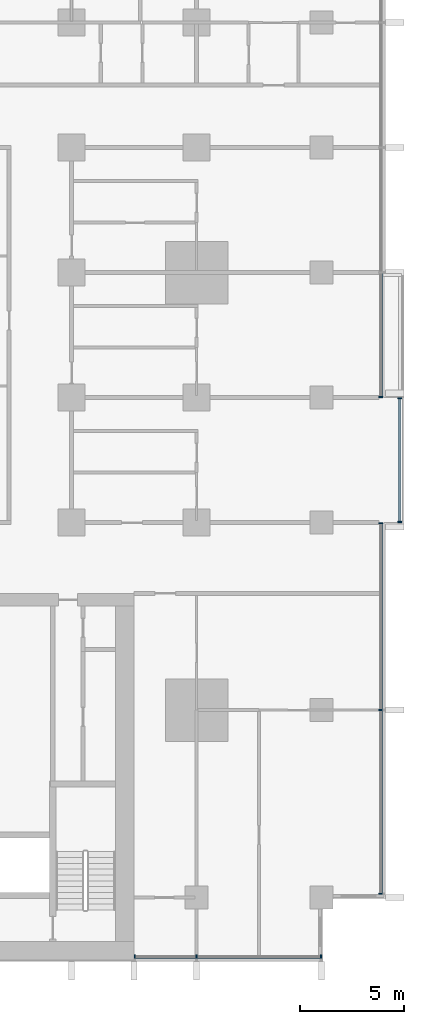
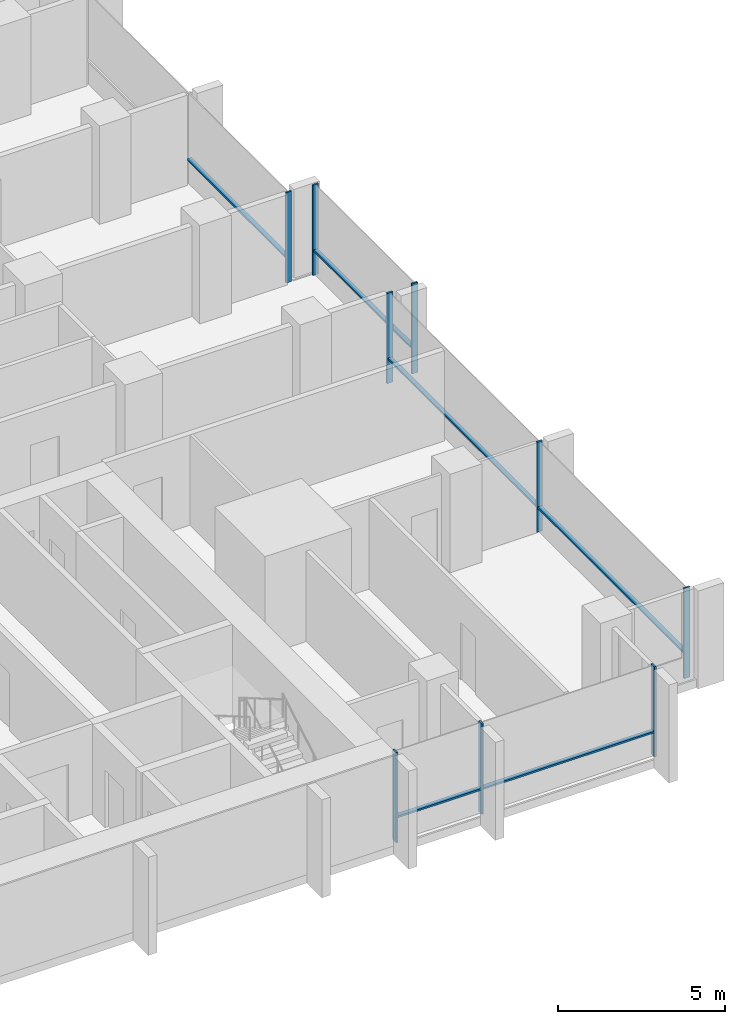
# One storey, part 3 of 18: 15 members, 4 elements without a shape of their own.
"""IFC4 building model written with IfcOpenShell, lengths in metres."""

from ifc_helpers import new_model, si_unit, direction, frame, origin, origin_2d, place, context, subcontext, project, spatial, rectangle, extrude, material, material_profile, profile_set, type_object, element, aggregate, save


model = new_model("IFC4")

# Units and contexts
model_context = context("Model", 3, precision=1e-05, world=origin(), true_north=direction((0.0, 1.0)))
body_context = subcontext(model_context, "Body", "Model", "MODEL_VIEW")
ifc_project = project(units=[si_unit("LENGTHUNIT", "METRE"), si_unit("AREAUNIT", "SQUARE_METRE"), si_unit("VOLUMEUNIT", "CUBIC_METRE"), si_unit("PLANEANGLEUNIT", "RADIAN"), si_unit("MASSUNIT", "GRAM", prefix="KILO")], contexts=[model_context])

# Site, building, storey
site_placement = place(None, origin())
site = spatial("IfcSite", under=ifc_project, at=site_placement, CompositionType="ELEMENT")
building_placement = place(site_placement, origin())
building = spatial("IfcBuilding", under=site, at=building_placement, Name="Finial Court Residences", CompositionType="ELEMENT")
storey_placement = place(building_placement, frame((0.0, 0.0, 43.300048828125)))
storey = spatial("IfcBuildingStorey", under=building, at=storey_placement, Name="L09", CompositionType="ELEMENT", Elevation=43.300048828125)

# Curtain wall, members
ifc_material = material(Name="Bronze anodised aluminium", Category="aluminium")
curtain_wall_type = type_object("IfcCurtainWallType", Name="Unitised curtain wall, lower and middle zones", PredefinedType="NOTDEFINED", material=ifc_material)
curtain_wall_1_placement = place(storey_placement, origin())
curtain_wall_1 = element("IfcCurtainWall", 1, at=curtain_wall_1_placement, inside=storey, type_object=curtain_wall_type, Name="E-L09-CW-E4", PredefinedType="NOTDEFINED")
ifc_material_profile_1 = material_profile(ifc_material, rectangle(XDim=0.199951171875, YDim=0.06494140625, at=origin_2d()), Name="CW1 mullion 65 x 200")
ifc_profile_set_1 = profile_set([ifc_material_profile_1], Name="Bronze anodised aluminium")
member_type_1 = type_object("IfcMemberType", Name="CW1 mullion 65 x 200", PredefinedType="MULLION", material=ifc_profile_set_1)
member_1_placement = place(storey_placement, frame((25.35009765625, -22.3173828125, 0.0), z_axis=(0.0, 0.0, 1.0), x_axis=(-1.0, 0.0, 0.0)))
member_1 = element("IfcMember", 2, at=member_1_placement, type_object=member_type_1, Name="CW1 mullion 1", PredefinedType="MULLION", context=body_context, shape_type="SweptSolid", body=[
    extrude(rectangle(XDim=0.199951171875, YDim=0.06494140625, at=origin_2d()), origin(), (0.0, 0.0, 1.0), 3.300048828125),
])
member_2_placement = place(storey_placement, frame((25.35009765625, -13.5, 0.0), z_axis=(0.0, 0.0, 1.0), x_axis=(-1.0, 0.0, 0.0)))
member_2 = element("IfcMember", 3, at=member_2_placement, type_object=member_type_1, Name="CW1 mullion 2", PredefinedType="MULLION", context=body_context, shape_type="SweptSolid", body=[
    extrude(rectangle(XDim=0.199951171875, YDim=0.06494140625, at=origin_2d()), origin(), (0.0, 0.0, 1.0), 3.300048828125),
])
member_3_placement = place(storey_placement, frame((25.35009765625, -4.532470703125, 0.0), z_axis=(0.0, 0.0, 1.0), x_axis=(-1.0, 0.0, 0.0)))
member_3 = element("IfcMember", 4, at=member_3_placement, type_object=member_type_1, Name="CW1 mullion 3", PredefinedType="MULLION", context=body_context, shape_type="SweptSolid", body=[
    extrude(rectangle(XDim=0.199951171875, YDim=0.06494140625, at=origin_2d()), origin(), (0.0, 0.0, 1.0), 3.300048828125),
])

curtain_wall_2_placement = place(storey_placement, origin())
curtain_wall_2 = element("IfcCurtainWall", 5, at=curtain_wall_2_placement, inside=storey, type_object=curtain_wall_type, Name="E-L09-CW-E5", PredefinedType="NOTDEFINED")
member_4_placement = place(storey_placement, frame((26.25, -4.467529296875, 0.0), z_axis=(0.0, 0.0, 1.0), x_axis=(-1.0, 0.0, 0.0)))
member_4 = element("IfcMember", 6, at=member_4_placement, type_object=member_type_1, Name="CW1 mullion 1", PredefinedType="MULLION", context=body_context, shape_type="SweptSolid", body=[
    extrude(rectangle(XDim=0.199951171875, YDim=0.06494140625, at=origin_2d()), origin(), (0.0, 0.0, 1.0), 3.300048828125),
])
member_5_placement = place(storey_placement, frame((26.25, 1.467529296875, 0.0), z_axis=(0.0, 0.0, 1.0), x_axis=(-1.0, 0.0, 0.0)))
member_5 = element("IfcMember", 7, at=member_5_placement, type_object=member_type_1, Name="CW1 mullion 2", PredefinedType="MULLION", context=body_context, shape_type="SweptSolid", body=[
    extrude(rectangle(XDim=0.199951171875, YDim=0.06494140625, at=origin_2d()), origin(), (0.0, 0.0, 1.0), 3.300048828125),
])

# Curtain wall, member
curtain_wall_3_placement = place(storey_placement, origin())
curtain_wall_3 = element("IfcCurtainWall", 8, at=curtain_wall_3_placement, inside=storey, type_object=curtain_wall_type, Name="E-L09-CW-E6", PredefinedType="NOTDEFINED")
member_6_placement = place(storey_placement, frame((25.35009765625, 1.532470703125, 0.0), z_axis=(0.0, 0.0, 1.0), x_axis=(-1.0, 0.0, 0.0)))
member_6 = element("IfcMember", 9, at=member_6_placement, type_object=member_type_1, Name="CW1 mullion 1", PredefinedType="MULLION", context=body_context, shape_type="SweptSolid", body=[
    extrude(rectangle(XDim=0.199951171875, YDim=0.06494140625, at=origin_2d()), origin(), (0.0, 0.0, 1.0), 3.300048828125),
])

# Curtain wall, members
curtain_wall_4_placement = place(storey_placement, origin())
curtain_wall_4 = element("IfcCurtainWall", 10, at=curtain_wall_4_placement, inside=storey, type_object=curtain_wall_type, Name="E-L09-CW-S8", PredefinedType="NOTDEFINED")
member_7_placement = place(storey_placement, frame((13.532470703125, -25.35009765625, 0.0), z_axis=(0.0, 0.0, 1.0), x_axis=(0.0, 1.0, 0.0)))
member_7 = element("IfcMember", 11, at=member_7_placement, type_object=member_type_1, Name="CW1 mullion 1", PredefinedType="MULLION", context=body_context, shape_type="SweptSolid", body=[
    extrude(rectangle(XDim=0.199951171875, YDim=0.06494140625, at=origin_2d()), origin(), (0.0, 0.0, 1.0), 3.300048828125),
])
member_8_placement = place(storey_placement, frame((16.5, -25.35009765625, 0.0), z_axis=(0.0, 0.0, 1.0), x_axis=(0.0, 1.0, 0.0)))
member_8 = element("IfcMember", 12, at=member_8_placement, type_object=member_type_1, Name="CW1 mullion 2", PredefinedType="MULLION", context=body_context, shape_type="SweptSolid", body=[
    extrude(rectangle(XDim=0.199951171875, YDim=0.06494140625, at=origin_2d()), origin(), (0.0, 0.0, 1.0), 3.300048828125),
])
member_9_placement = place(storey_placement, frame((22.467529296875, -25.35009765625, 0.0), z_axis=(0.0, 0.0, 1.0), x_axis=(0.0, 1.0, 0.0)))
member_9 = element("IfcMember", 13, at=member_9_placement, type_object=member_type_1, Name="CW1 mullion 3", PredefinedType="MULLION", context=body_context, shape_type="SweptSolid", body=[
    extrude(rectangle(XDim=0.199951171875, YDim=0.06494140625, at=origin_2d()), origin(), (0.0, 0.0, 1.0), 3.300048828125),
])

# Member
ifc_material_profile_2 = material_profile(ifc_material, rectangle(XDim=0.14990234375, YDim=0.06494140625, at=origin_2d()), Name="CW1 transom 65 x 150")
ifc_profile_set_2 = profile_set([ifc_material_profile_2], Name="Bronze anodised aluminium")
member_type_2 = type_object("IfcMemberType", Name="CW1 transom 65 x 150", PredefinedType="USERDEFINED", material=ifc_profile_set_2)
member_10_placement = place(storey_placement, frame((25.35009765625, -22.284912109375, 0.89990234375), z_axis=(0.0, 1.0, 0.0), x_axis=(-1.0, 0.0, 0.0)))
member_10 = element("IfcMember", 14, at=member_10_placement, type_object=member_type_2, Name="CW1 transom 1.1", ObjectType="TRANSOM", PredefinedType="USERDEFINED", context=body_context, shape_type="SweptSolid", body=[
    extrude(rectangle(XDim=0.14990234375, YDim=0.06494140625, at=origin_2d()), origin(), (0.0, 0.0, 1.0), 8.75244140625),
])

member_11_placement = place(storey_placement, frame((25.35009765625, -13.467529296875, 0.89990234375), z_axis=(0.0, 1.0, 0.0), x_axis=(-1.0, 0.0, 0.0)))
member_11 = element("IfcMember", 15, at=member_11_placement, type_object=member_type_2, Name="CW1 transom 2.1", ObjectType="TRANSOM", PredefinedType="USERDEFINED", context=body_context, shape_type="SweptSolid", body=[
    extrude(rectangle(XDim=0.14990234375, YDim=0.06494140625, at=origin_2d()), origin(), (0.0, 0.0, 1.0), 8.902587890625),
])

aggregate(curtain_wall_1, [member_1, member_2, member_3, member_10, member_11])

member_12_placement = place(storey_placement, frame((26.25, -4.43505859375, 0.89990234375), z_axis=(0.0, 1.0, 0.0), x_axis=(-1.0, 0.0, 0.0)))
member_12 = element("IfcMember", 16, at=member_12_placement, type_object=member_type_2, Name="CW1 transom 1.1", ObjectType="TRANSOM", PredefinedType="USERDEFINED", context=body_context, shape_type="SweptSolid", body=[
    extrude(rectangle(XDim=0.14990234375, YDim=0.06494140625, at=origin_2d()), origin(), (0.0, 0.0, 1.0), 5.8701171875),
])

aggregate(curtain_wall_2, [member_4, member_5, member_12])

member_13_placement = place(storey_placement, frame((25.35009765625, 1.56494140625, 0.89990234375), z_axis=(0.0, 1.0, 0.0), x_axis=(-1.0, 0.0, 0.0)))
member_13 = element("IfcMember", 17, at=member_13_placement, type_object=member_type_2, Name="CW1 transom 1.1", ObjectType="TRANSOM", PredefinedType="USERDEFINED", context=body_context, shape_type="SweptSolid", body=[
    extrude(rectangle(XDim=0.14990234375, YDim=0.06494140625, at=origin_2d()), origin(), (0.0, 0.0, 1.0), 5.902587890625),
])

aggregate(curtain_wall_3, [member_6, member_13])

member_14_placement = place(storey_placement, frame((13.56494140625, -25.35009765625, 0.89990234375), z_axis=(1.0, 0.0, 0.0), x_axis=(0.0, 1.0, 0.0)))
member_14 = element("IfcMember", 18, at=member_14_placement, type_object=member_type_2, Name="CW1 transom 1.1", ObjectType="TRANSOM", PredefinedType="USERDEFINED", context=body_context, shape_type="SweptSolid", body=[
    extrude(rectangle(XDim=0.14990234375, YDim=0.06494140625, at=origin_2d()), origin(), (0.0, 0.0, 1.0), 2.902587890625),
])

member_15_placement = place(storey_placement, frame((16.532470703125, -25.35009765625, 0.89990234375), z_axis=(1.0, 0.0, 0.0), x_axis=(0.0, 1.0, 0.0)))
member_15 = element("IfcMember", 19, at=member_15_placement, type_object=member_type_2, Name="CW1 transom 2.1", ObjectType="TRANSOM", PredefinedType="USERDEFINED", context=body_context, shape_type="SweptSolid", body=[
    extrude(rectangle(XDim=0.14990234375, YDim=0.06494140625, at=origin_2d()), origin(), (0.0, 0.0, 1.0), 5.902587890625),
])

aggregate(curtain_wall_4, [member_7, member_8, member_9, member_14, member_15])

save(model, "model.ifc")
